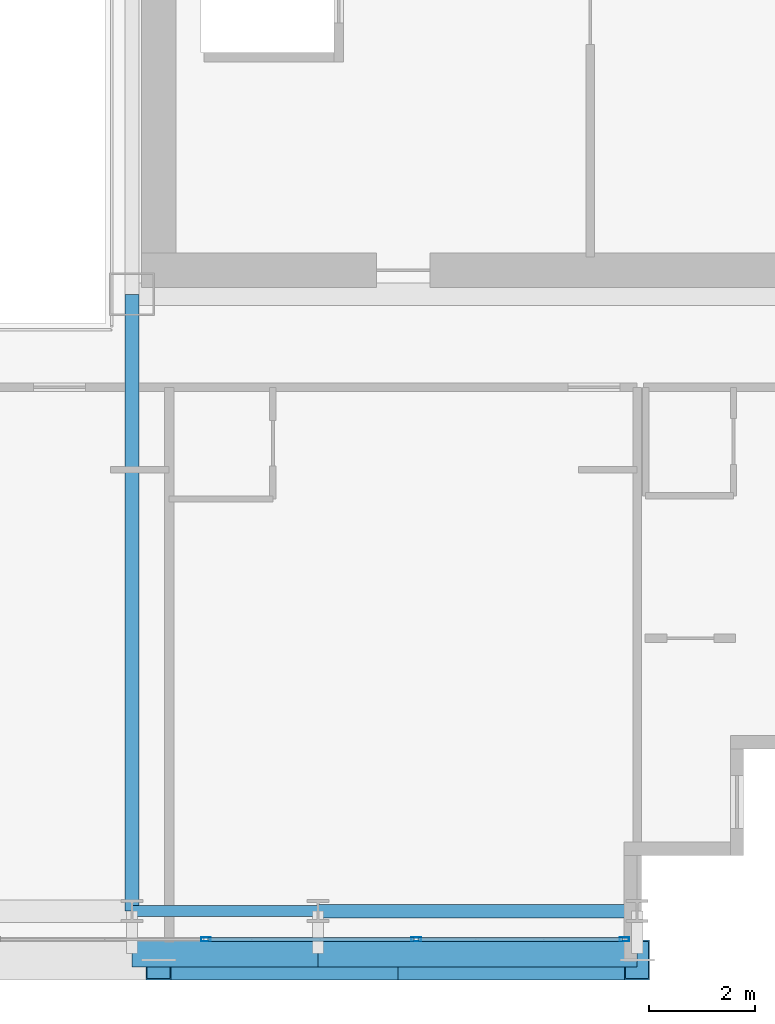
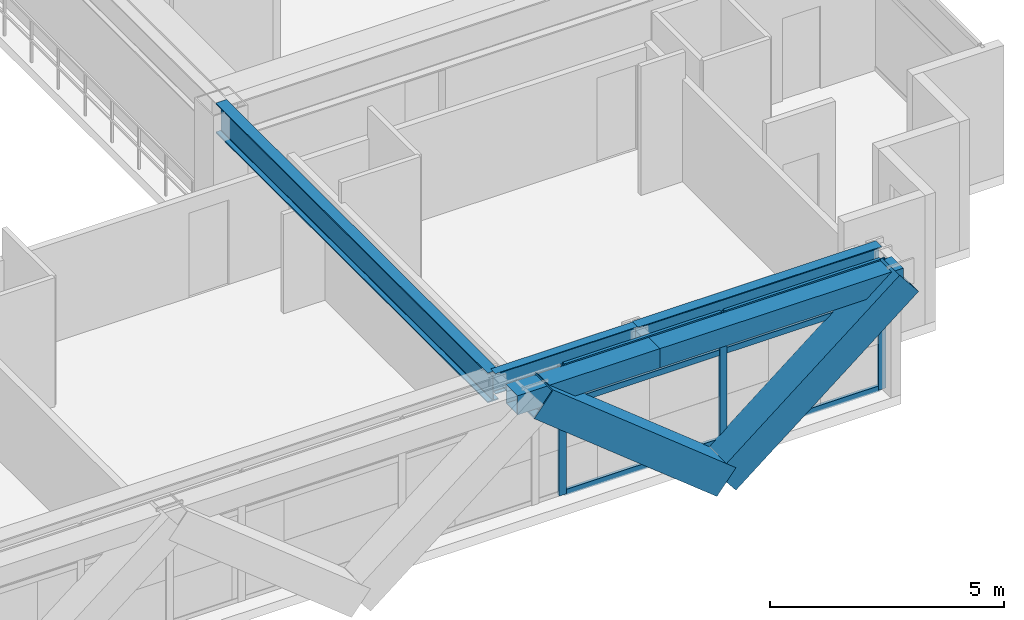
# One storey, part 10 of 34: 11 members, 5 beams, 1 element without a shape of its own.
"""IFC4 building model written with IfcOpenShell, lengths in metres."""

from ifc_helpers import new_model, si_unit, direction, frame, origin, origin_2d, place, context, subcontext, project, spatial, hollow_rectangle, i_section, extrude, source, transform, mapped, material, layer, layer_set, material_profile, profile_set, type_object, element, aggregate, save


model = new_model("IFC4")

# Units and contexts
model_context = context("Model", 3, precision=1e-05, world=origin(), true_north=direction((0.0, 1.0)))
body_context = subcontext(model_context, "Body", "Model", "MODEL_VIEW")
ifc_project = project(units=[si_unit("LENGTHUNIT", "METRE"), si_unit("AREAUNIT", "SQUARE_METRE"), si_unit("VOLUMEUNIT", "CUBIC_METRE"), si_unit("PLANEANGLEUNIT", "RADIAN"), si_unit("MASSUNIT", "GRAM", prefix="KILO")], contexts=[model_context])

# Site, building, storey
site_placement = place(None, origin())
site = spatial("IfcSite", under=ifc_project, at=site_placement, CompositionType="ELEMENT")
building_placement = place(site_placement, origin())
building = spatial("IfcBuilding", under=site, at=building_placement, Name="Ocotamira Hotel", CompositionType="ELEMENT")
storey_placement = place(building_placement, frame((0.0, 0.0, 108.0)))
storey = spatial("IfcBuildingStorey", under=building, at=storey_placement, Name="L26", CompositionType="ELEMENT", Elevation=108.0)

# Beams
ifc_material_1 = material(Name="Steel ASTM A992 Grade 50", Category="steel")
ifc_material_profile_1 = material_profile(ifc_material_1, i_section(OverallWidth=0.256103515625, OverallDepth=0.693115234375, WebThickness=0.014404296875, FlangeThickness=0.023681640625, FilletRadius=0.01611328125, at=origin_2d()), Name="W27X114")
ifc_profile_set_1 = profile_set([ifc_material_profile_1], Name="Steel ASTM A992 Grade 50")
beam_type_1 = type_object("IfcBeamType", Name="BM-PRIM-W27X114", PredefinedType="BEAM", material=ifc_profile_set_1)
shared_shape_1 = source(origin(), body_context, "Body", "SweptSolid", [
    extrude(i_section(OverallWidth=0.256103515625, OverallDepth=0.693115234375, WebThickness=0.014404296875, FlangeThickness=0.023681640625, FilletRadius=0.01611328125, at=origin_2d()), origin(), (0.0, 0.0, 1.0), 6.0),
])
beam_1_placement = place(storey_placement, frame((44.0, 2.949951171875, 3.013427734375), z_axis=(1.0, 0.0, 0.0), x_axis=(0.0, 1.0, 0.0)))
element("IfcBeam", 1, at=beam_1_placement, inside=storey, type_object=beam_type_1, Name="L26 Girder Y2.95 X44-50", PredefinedType="BEAM", context=body_context, shape_type="MappedRepresentation", body=[
    mapped(shared_shape_1, transform((0.0, 0.0, 0.0), scale=1.0)),
])
ifc_material_profile_2 = material_profile(ifc_material_1, i_section(OverallWidth=0.2099609375, OverallDepth=0.537109375, WebThickness=0.010986328125, FlangeThickness=0.017333984375, FilletRadius=0.012939453125, at=origin_2d()), Name="W21X68")
ifc_profile_set_2 = profile_set([ifc_material_profile_2], Name="Steel ASTM A992 Grade 50")
beam_type_2 = type_object("IfcBeamType", Name="BM-SEC-W21X68", PredefinedType="JOIST", material=ifc_profile_set_2)
shared_shape_2 = source(origin(), body_context, "Body", "SweptSolid", [
    extrude(i_section(OverallWidth=0.2099609375, OverallDepth=0.537109375, WebThickness=0.010986328125, FlangeThickness=0.017333984375, FilletRadius=0.012939453125, at=origin_2d()), origin(), (0.0, 0.0, 1.0), 3.5),
])
beam_2_placement = place(storey_placement, frame((40.5, 2.949951171875, 3.091552734375), z_axis=(1.0, 0.0, 0.0), x_axis=(0.0, 1.0, 0.0)))
element("IfcBeam", 2, at=beam_2_placement, inside=storey, type_object=beam_type_2, Name="L26 Girder Y2.95 X40.5-44", PredefinedType="JOIST", context=body_context, shape_type="MappedRepresentation", body=[
    mapped(shared_shape_2, transform((0.0, 0.0, 0.0), scale=1.0)),
])
ifc_material_profile_3 = material_profile(ifc_material_1, i_section(OverallWidth=0.26611328125, OverallDepth=0.779052734375, WebThickness=0.0166015625, FlangeThickness=0.030029296875, FilletRadius=0.01806640625, at=origin_2d()), Name="W30X148")
ifc_profile_set_3 = profile_set([ifc_material_profile_3], Name="Steel ASTM A992 Grade 50")
beam_type_3 = type_object("IfcBeamType", Name="BM-GIRD-W30X148", PredefinedType="BEAM", material=ifc_profile_set_3)
shared_shape_3 = source(origin(), body_context, "Body", "SweptSolid", [
    extrude(i_section(OverallWidth=0.26611328125, OverallDepth=0.779052734375, WebThickness=0.0166015625, FlangeThickness=0.030029296875, FilletRadius=0.01806640625, at=origin_2d()), origin(), (0.0, 0.0, 1.0), 11.60009765625),
])
beam_3_placement = place(storey_placement, frame((40.5, 2.949951171875, 2.970458984375), z_axis=(0.0, 1.0, 0.0), x_axis=(-1.0, 0.0, 0.0)))
element("IfcBeam", 3, at=beam_3_placement, inside=storey, type_object=beam_type_3, Name="L26 Beam X40.5 Y2.95-14.55", PredefinedType="BEAM", context=body_context, shape_type="MappedRepresentation", body=[
    mapped(shared_shape_3, transform((0.0, 0.0, 0.0), scale=1.0)),
])
ifc_material_2 = material(Name="Steel ASTM A500 Grade C", Category="steel")
ifc_material_profile_4 = material_profile(ifc_material_2, hollow_rectangle(XDim=0.5, YDim=0.5, WallThickness=0.02001953125, at=origin_2d()), Name="HSS500X500X20")
ifc_profile_set_4 = profile_set([ifc_material_profile_4], Name="Steel ASTM A500 Grade C")
beam_type_4 = type_object("IfcBeamType", Name="BM-SPAN-HSS500", PredefinedType="USERDEFINED", material=ifc_profile_set_4)
shared_shape_4 = source(origin(), body_context, "Body", "SweptSolid", [
    extrude(hollow_rectangle(XDim=0.5, YDim=0.5, WallThickness=0.02001953125, at=origin_2d()), origin(), (0.0, 0.0, 1.0), 6.0),
])
beam_4_placement = place(storey_placement, frame((44.0, 2.14990234375, 3.110107421875), z_axis=(1.0, 0.0, 0.0), x_axis=(0.0, 1.0, 0.0)))
element("IfcBeam", 4, at=beam_4_placement, inside=storey, type_object=beam_type_4, Name="L26 Edge Spandrel S X44-50", ObjectType="SPANDREL", PredefinedType="USERDEFINED", context=body_context, shape_type="MappedRepresentation", body=[
    mapped(shared_shape_4, transform((0.0, 0.0, 0.0), scale=1.0)),
])
shared_shape_5 = source(origin(), body_context, "Body", "SweptSolid", [
    extrude(hollow_rectangle(XDim=0.5, YDim=0.5, WallThickness=0.02001953125, at=origin_2d()), origin(), (0.0, 0.0, 1.0), 3.5),
])
beam_5_placement = place(storey_placement, frame((40.5, 2.14990234375, 3.110107421875), z_axis=(1.0, 0.0, 0.0), x_axis=(0.0, 1.0, 0.0)))
element("IfcBeam", 5, at=beam_5_placement, inside=storey, type_object=beam_type_4, Name="L26 Edge Spandrel S X40.5-44", ObjectType="SPANDREL", PredefinedType="USERDEFINED", context=body_context, shape_type="MappedRepresentation", body=[
    mapped(shared_shape_5, transform((0.0, 0.0, 0.0), scale=1.0)),
])

# Members
ifc_material_3 = material(Name="Pale-metal coated steel ASTM A913 Grade 65", Category="steel")
ifc_material_profile_5 = material_profile(ifc_material_3, hollow_rectangle(XDim=0.75, YDim=0.75, WallThickness=0.028076171875, at=origin_2d()), Name="BOX750X750X28")
ifc_profile_set_5 = profile_set([ifc_material_profile_5], Name="Pale-metal coated steel ASTM A913 Grade 65")
member_type_1 = type_object("IfcMemberType", Name="MEM-EXO-BOX750", PredefinedType="BRACE", material=ifc_profile_set_5)
shared_shape_6 = source(origin(), body_context, "Body", "SweptSolid", [
    extrude(hollow_rectangle(XDim=0.75, YDim=0.75, WallThickness=0.028076171875, at=origin_2d()), origin(), (0.0, 0.0, 1.0), 5.762939453125),
])
for number, where, z_axis, x_axis, name in (
    (6, (45.5, 2.030029296875, -0.489990234375), (-0.780860543151, 0.0, 0.624705380279), (0.0, -1.0, 0.0), "L26 Exoskeleton Diagrid S3.1"),
    (7, (45.5, 2.030029296875, -0.489990234375), (0.780860543151, 0.0, 0.624705380279), (0.0, 1.0, 0.0), "L26 Exoskeleton Diagrid S3.2"),
):
    element("IfcMember", number, at=place(storey_placement, frame(where, z_axis=z_axis, x_axis=x_axis)), inside=storey, type_object=member_type_1, Name=name, PredefinedType="BRACE", context=body_context, shape_type="MappedRepresentation", body=[
        mapped(shared_shape_6, transform((0.0, 0.0, 0.0), scale=1.0)),
    ])

# Curtain wall, members
ifc_material_4 = material(Name="Anodised pale-metal aluminium and solar glass", Category="aluminium")
ifc_layer = layer(ifc_material_4, 0.179931640625)
ifc_layer_set = layer_set([ifc_layer], Name="Anodised pale-metal aluminium and solar glass")
curtain_wall_type = type_object("IfcCurtainWallType", Name="CW-SYS3-Z2", PredefinedType="NOTDEFINED", material=ifc_layer_set)
curtain_wall_placement = place(storey_placement, origin())
curtain_wall = element("IfcCurtainWall", 8, at=curtain_wall_placement, inside=storey, type_object=curtain_wall_type, Name="L26 Curtain Wall CW-3 CW-L26-S1", PredefinedType="NOTDEFINED")
ifc_material_5 = material(Name="Anodised pale-metal aluminium 6063-T6", Category="aluminium")
ifc_material_profile_6 = material_profile(ifc_material_5, hollow_rectangle(XDim=0.074951171875, YDim=0.14990234375, WallThickness=0.006103515625, at=origin_2d()), Name="HSS150X75X6")
ifc_profile_set_6 = profile_set([ifc_material_profile_6], Name="Anodised pale-metal aluminium 6063-T6")
member_type_2 = type_object("IfcMemberType", Name="CWT-150X75", PredefinedType="USERDEFINED", material=ifc_profile_set_6)
shared_shape_7 = source(origin(), body_context, "Body", "SweptSolid", [
    extrude(hollow_rectangle(XDim=0.074951171875, YDim=0.14990234375, WallThickness=0.006103515625, at=origin_2d()), origin(), (0.0, 0.0, 1.0), 3.83544921875),
])
member_1_placement = place(storey_placement, frame((45.884521484375, 2.419921875, 0.03759765625), z_axis=(1.0, 0.0, 0.0), x_axis=(0.0, 1.0, 0.0)))
member_1 = element("IfcMember", 9, at=member_1_placement, type_object=member_type_2, Name="CW-3 transom 9.1", ObjectType="TRANSOM", PredefinedType="USERDEFINED", context=body_context, shape_type="MappedRepresentation", body=[
    mapped(shared_shape_7, transform((0.0, 0.0, 0.0), scale=1.0)),
])
member_2_placement = place(storey_placement, frame((45.884521484375, 2.419921875, 2.35009765625), z_axis=(1.0, 0.0, 0.0), x_axis=(0.0, 1.0, 0.0)))
member_2 = element("IfcMember", 10, at=member_2_placement, type_object=member_type_2, Name="CW-3 transom 9.2", ObjectType="TRANSOM", PredefinedType="USERDEFINED", context=body_context, shape_type="MappedRepresentation", body=[
    mapped(shared_shape_7, transform((0.0, 0.0, 0.0), scale=1.0)),
])
member_3_placement = place(storey_placement, frame((45.884521484375, 2.419921875, 3.322509765625), z_axis=(1.0, 0.0, 0.0), x_axis=(0.0, 1.0, 0.0)))
member_3 = element("IfcMember", 11, at=member_3_placement, type_object=member_type_2, Name="CW-3 transom 9.3", ObjectType="TRANSOM", PredefinedType="USERDEFINED", context=body_context, shape_type="MappedRepresentation", body=[
    mapped(shared_shape_7, transform((0.0, 0.0, 0.0), scale=1.0)),
])
shared_shape_8 = source(origin(), body_context, "Body", "SweptSolid", [
    extrude(hollow_rectangle(XDim=0.074951171875, YDim=0.14990234375, WallThickness=0.006103515625, at=origin_2d()), origin(), (0.0, 0.0, 1.0), 3.87548828125),
])
member_4_placement = place(storey_placement, frame((41.928955078125, 2.419921875, 0.03759765625), z_axis=(1.0, 0.0, 0.0), x_axis=(0.0, 1.0, 0.0)))
member_4 = element("IfcMember", 12, at=member_4_placement, type_object=member_type_2, Name="CW-3 transom 8.1", ObjectType="TRANSOM", PredefinedType="USERDEFINED", context=body_context, shape_type="MappedRepresentation", body=[
    mapped(shared_shape_8, transform((0.0, 0.0, 0.0), scale=1.0)),
])
member_5_placement = place(storey_placement, frame((41.928955078125, 2.419921875, 2.35009765625), z_axis=(1.0, 0.0, 0.0), x_axis=(0.0, 1.0, 0.0)))
member_5 = element("IfcMember", 13, at=member_5_placement, type_object=member_type_2, Name="CW-3 transom 8.2", ObjectType="TRANSOM", PredefinedType="USERDEFINED", context=body_context, shape_type="MappedRepresentation", body=[
    mapped(shared_shape_8, transform((0.0, 0.0, 0.0), scale=1.0)),
])
member_6_placement = place(storey_placement, frame((41.928955078125, 2.419921875, 3.322509765625), z_axis=(1.0, 0.0, 0.0), x_axis=(0.0, 1.0, 0.0)))
member_6 = element("IfcMember", 14, at=member_6_placement, type_object=member_type_2, Name="CW-3 transom 8.3", ObjectType="TRANSOM", PredefinedType="USERDEFINED", context=body_context, shape_type="MappedRepresentation", body=[
    mapped(shared_shape_8, transform((0.0, 0.0, 0.0), scale=1.0)),
])
ifc_material_profile_7 = material_profile(ifc_material_5, hollow_rectangle(XDim=0.080078125, YDim=0.179931640625, WallThickness=0.006103515625, at=origin_2d()), Name="HSS180X80X6")
ifc_profile_set_7 = profile_set([ifc_material_profile_7], Name="Anodised pale-metal aluminium 6063-T6")
member_type_3 = type_object("IfcMemberType", Name="CWM-180X75", PredefinedType="MULLION", material=ifc_profile_set_7)
shared_shape_9 = source(origin(), body_context, "Body", "SweptSolid", [
    extrude(hollow_rectangle(XDim=0.080078125, YDim=0.179931640625, WallThickness=0.006103515625, at=origin_2d()), origin(), (0.0, 0.0, 1.0), 3.360107421875),
])
member_7_placement = place(storey_placement, frame((41.888916015625, 2.419921875, 0.0), z_axis=(0.0, 0.0, 1.0), x_axis=(0.0, 1.0, 0.0)))
member_7 = element("IfcMember", 15, at=member_7_placement, type_object=member_type_3, Name="CW-3 mullion 8", PredefinedType="MULLION", context=body_context, shape_type="MappedRepresentation", body=[
    mapped(shared_shape_9, transform((0.0, 0.0, 0.0), scale=1.0)),
])
member_8_placement = place(storey_placement, frame((45.844482421875, 2.419921875, 0.0), z_axis=(0.0, 0.0, 1.0), x_axis=(0.0, 1.0, 0.0)))
member_8 = element("IfcMember", 16, at=member_8_placement, type_object=member_type_3, Name="CW-3 mullion 9", PredefinedType="MULLION", context=body_context, shape_type="MappedRepresentation", body=[
    mapped(shared_shape_9, transform((0.0, 0.0, 0.0), scale=1.0)),
])
member_9_placement = place(storey_placement, frame((49.760009765625, 2.419921875, 0.0), z_axis=(0.0, 0.0, 1.0), x_axis=(0.0, 1.0, 0.0)))
member_9 = element("IfcMember", 17, at=member_9_placement, type_object=member_type_3, Name="CW-3 mullion 10", PredefinedType="MULLION", context=body_context, shape_type="MappedRepresentation", body=[
    mapped(shared_shape_9, transform((0.0, 0.0, 0.0), scale=1.0)),
])
aggregate(curtain_wall, [member_7, member_8, member_9, member_4, member_5, member_6, member_1, member_2, member_3])

save(model, "model.ifc")
